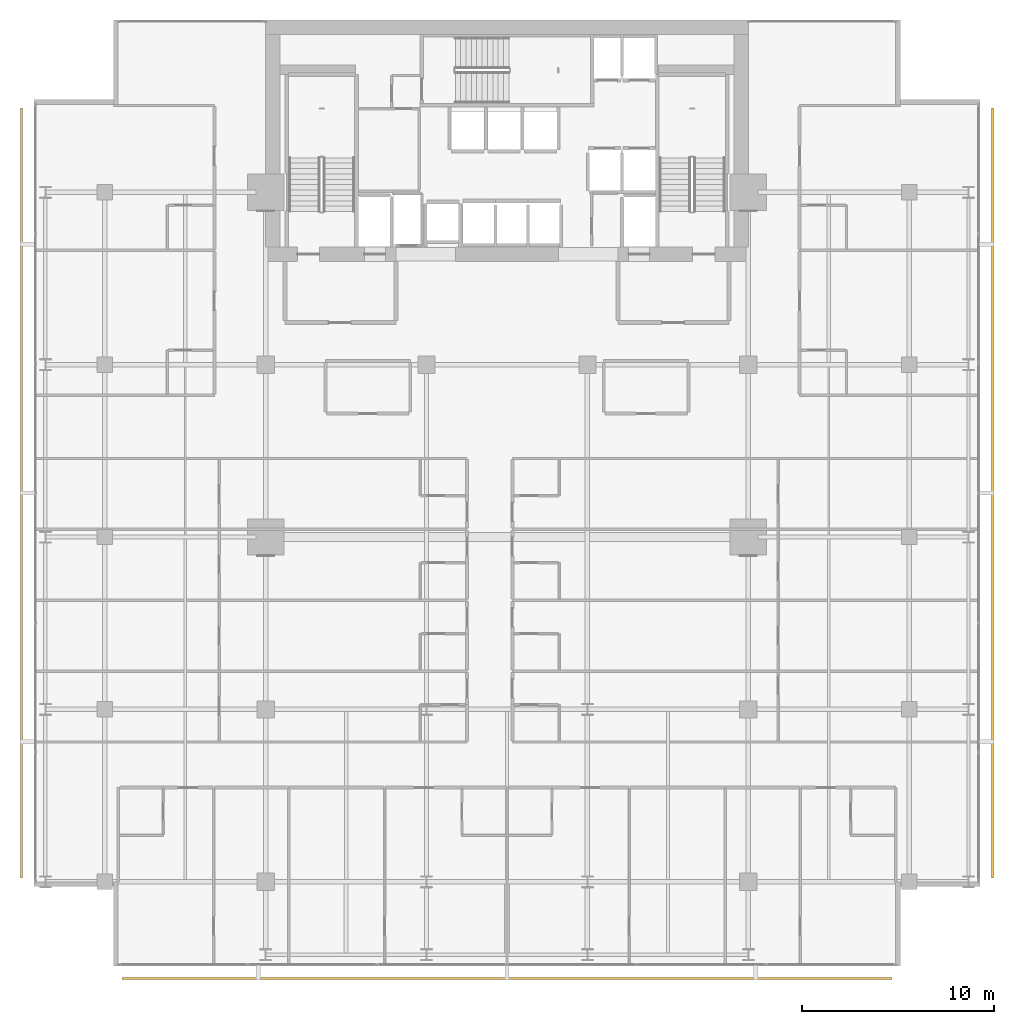
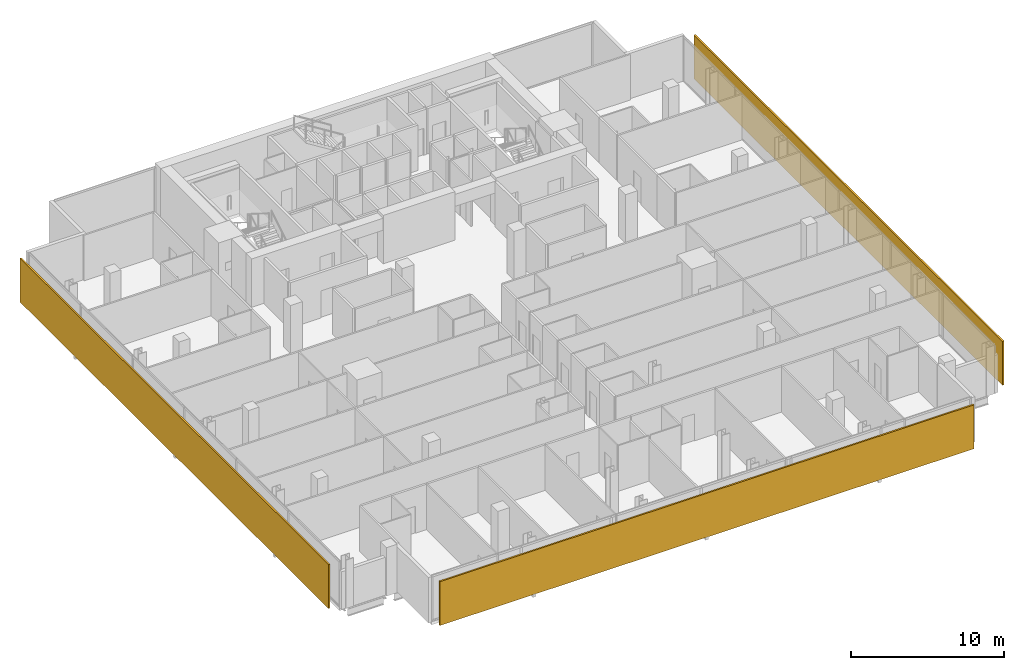
# One storey, part 33 of 34: 3 shading devices.
"""IFC4 building model written with IfcOpenShell, lengths in metres."""

from ifc_helpers import new_model, si_unit, direction, frame, origin, origin_2d, place, context, subcontext, project, spatial, rectangle, extrude, material, layer, layer_set, type_object, element, save


model = new_model("IFC4")

# Units and contexts
model_context = context("Model", 3, precision=1e-05, world=origin(), true_north=direction((0.0, 1.0)))
body_context = subcontext(model_context, "Body", "Model", "MODEL_VIEW")
ifc_project = project(units=[si_unit("LENGTHUNIT", "METRE"), si_unit("AREAUNIT", "SQUARE_METRE"), si_unit("VOLUMEUNIT", "CUBIC_METRE"), si_unit("PLANEANGLEUNIT", "RADIAN"), si_unit("MASSUNIT", "GRAM", prefix="KILO")], contexts=[model_context])

# Site, building, storey
site_placement = place(None, origin())
site = spatial("IfcSite", under=ifc_project, at=site_placement, CompositionType="ELEMENT")
building_placement = place(site_placement, origin())
building = spatial("IfcBuilding", under=site, at=building_placement, Name="Maruvema Waterfront Hotel and Observation Tower", CompositionType="ELEMENT")
storey_placement = place(building_placement, frame((0.0, 0.0, 189.0)))
storey = spatial("IfcBuildingStorey", under=building, at=storey_placement, Name="L46", CompositionType="ELEMENT", Elevation=189.0)

# Shading devices
ifc_material = material(Name="Honed travertine stone and anodised architectural bronze", Category="masonry")
ifc_layer = layer(ifc_material, 0.1201171875, Name="Ventilated Outer Skin Cobogo Stone-and-Bronze Screen 120 mm")
ifc_layer_set = layer_set([ifc_layer], Name="Honed travertine stone and anodised architectural bronze")
shading_device_type = type_object("IfcShadingDeviceType", Name="Ventilated Outer Skin Cobogo Stone-and-Bronze Screen 120 mm", PredefinedType="USERDEFINED", material=ifc_layer_set)
for number, where, z_axis, x_axis, name in (
    (1, (37.800048828125, 3.949951171875, 0.06005859375), (0.0, 0.0, 1.0), (1.0, 0.0, 0.0), "L46 Ventilated Double-Skin Outer Cobogo Screen OS-L46-S"),
    (2, (63.14990234375, 29.300048828125, 0.06005859375), (0.0, 0.0, 1.0), (0.0, 1.0, 0.0), "L46 Ventilated Double-Skin Outer Cobogo Screen OS-L46-E"),
    (3, (12.449951171875, 29.300048828125, 0.06005859375), (0.0, 0.0, 1.0), (0.0, -1.0, 0.0), "L46 Ventilated Double-Skin Outer Cobogo Screen OS-L46-W"),
):
    element("IfcShadingDevice", number, at=place(storey_placement, frame(where, z_axis=z_axis, x_axis=x_axis)), inside=storey, type_object=shading_device_type, Name=name, ObjectType="OUTER SKIN SCREEN", PredefinedType="USERDEFINED", context=body_context, shape_type="SweptSolid", body=[
        extrude(rectangle(XDim=40.199951171875, YDim=0.1201171875, at=origin_2d()), origin(), (0.0, 0.0, 1.0), 3.489990234375),
    ])

save(model, "model.ifc")
